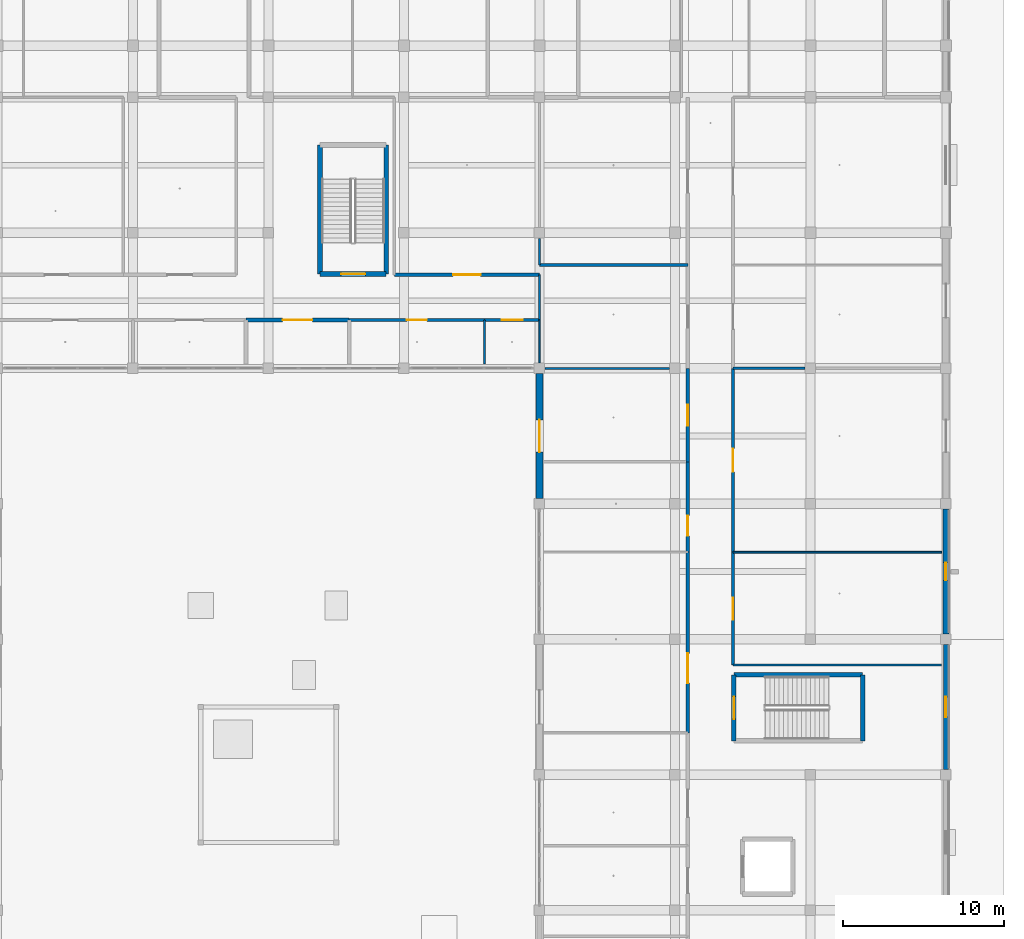
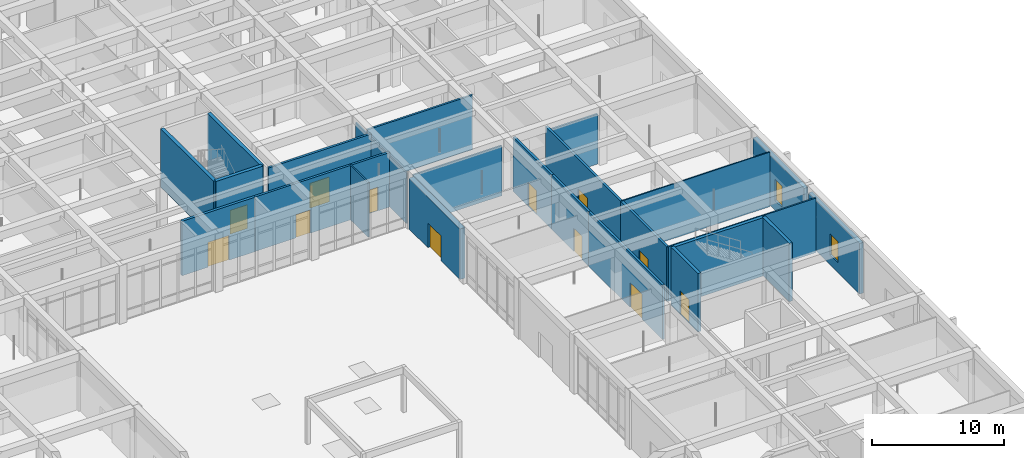
# One storey, part 76 of 167: 27 walls, 12 doors, 2 windows, 14 openings.
"""IFC4 building model written with IfcOpenShell, lengths in metres."""

from ifc_helpers import new_model, si_unit, direction, frame, frame_2d, origin, place, context, subcontext, project, spatial, rectangle, extrude, material, layer, layer_set, type_object, element, fill, save


model = new_model("IFC4")

# Units and contexts
model_context = context("Model", 3, precision=1e-05, world=origin(), true_north=direction((0.0, 1.0)))
body_context = subcontext(model_context, "Body", "Model", "MODEL_VIEW")
ifc_project = project(units=[si_unit("LENGTHUNIT", "METRE"), si_unit("AREAUNIT", "SQUARE_METRE"), si_unit("VOLUMEUNIT", "CUBIC_METRE"), si_unit("PLANEANGLEUNIT", "RADIAN"), si_unit("MASSUNIT", "GRAM", prefix="KILO")], contexts=[model_context])

# Site, building, storey
site_placement = place(None, origin())
site = spatial("IfcSite", under=ifc_project, at=site_placement, CompositionType="ELEMENT")
building_placement = place(site_placement, origin())
building = spatial("IfcBuilding", under=site, at=building_placement, Name="Varncliffe General Hospital", CompositionType="ELEMENT")
storey_placement = place(building_placement, origin())
storey = spatial("IfcBuildingStorey", under=building, at=storey_placement, Name="L00", CompositionType="ELEMENT", Elevation=0.0)

# Wall, opening, window
ifc_material_1 = material(Name="Precast concrete C40/50 with insulated cream lime-cement stucco", Category="concrete")
ifc_layer_1 = layer(ifc_material_1, 0.330078125)
ifc_layer_set_1 = layer_set([ifc_layer_1], Name="Precast concrete C40/50 with insulated cream lime-cement stucco")
wall_type_1 = type_object("IfcWallType", Name="Exterior Insulated Stucco Wall EW33 (330mm)", PredefinedType="SOLIDWALL", material=ifc_layer_set_1)
wall_1_placement = place(storey_placement, frame((176.39990234375, 65.677001953125, 0.0), z_axis=(0.0, 0.0, 1.0), x_axis=(0.0, -1.0, 0.0)))
wall_1 = element("IfcWall", 1, at=wall_1_placement, inside=storey, type_object=wall_type_1, Name="L00 Exterior Stucco Wall EW33-44", PredefinedType="SOLIDWALL", context=body_context, shape_type="SweptSolid", body=[
    extrude(rectangle(XDim=7.75390625, YDim=0.330078125, at=frame_2d((3.876953125, 0.0))), origin(), (0.0, 0.0, 1.0), 4.679931640625),
])
opening_1_placement = place(wall_1_placement, frame((3.251953125, 0.0, 0.89990234375)))
opening_1 = element("IfcOpeningElement", 2, at=opening_1_placement, cuts=wall_1, Name="Opening WN49", PredefinedType="OPENING", context=body_context, shape_type="SweptSolid", body=[
    extrude(rectangle(XDim=1.25, YDim=1.949951171875, at=frame_2d((0.625, 0.97509765625))), frame((0.0, 0.175048828125, 0.0), z_axis=(0.0, -1.0, 0.0), x_axis=(1.0, 0.0, 0.0)), (0.0, 0.0, 1.0), 0.35009765625),
])
ifc_material_2 = material(Name="Triple low-E argon insulated vision glazing", Category="glass")
window_type_1 = type_object("IfcWindowType", Name="Triple-Glazed Hospital Window WN49 (1250x1950)", PartitioningType="SINGLE_PANEL", PredefinedType="WINDOW", material=ifc_material_2)
window_1_placement = place(opening_1_placement, origin())
window_1 = element("IfcWindow", 3, at=window_1_placement, inside=storey, type_object=window_type_1, Name="L00 Hospital Window WN49-25", OverallHeight=1.949951171875, OverallWidth=1.25, PartitioningType="SINGLE_PANEL", PredefinedType="WINDOW", context=body_context, shape_type="SweptSolid", body=[
    extrude(rectangle(XDim=1.25, YDim=1.949951171875, at=frame_2d((0.625, 0.97509765625))), frame((0.0, 0.030029296875, 0.0), z_axis=(0.0, -1.0, 0.0), x_axis=(1.0, 0.0, 0.0)), (0.0, 0.0, 1.0), 0.06005859375),
])
fill(opening_1, window_1)

# Wall, opening, door
ifc_material_3 = material(Name="Concrete C40/50 (CSA A23.1 40 MPa)", Category="concrete")
ifc_layer_2 = layer(ifc_material_3, 0.449951171875)
ifc_layer_set_2 = layer_set([ifc_layer_2], Name="Concrete C40/50 (CSA A23.1 40 MPa)")
wall_type_2 = type_object("IfcWallType", Name="Exterior Insulated Stucco Wall EW36 (450mm)", PredefinedType="SOLIDWALL", material=ifc_layer_set_2)
wall_2_placement = place(storey_placement, frame((151.199951171875, 74.722900390625, 0.0), z_axis=(0.0, 0.0, 1.0), x_axis=(0.0, 1.0, 0.0)))
wall_2 = element("IfcWall", 4, at=wall_2_placement, inside=storey, type_object=wall_type_2, Name="L00 Exterior Stucco Wall EW36-88", PredefinedType="SOLIDWALL", context=body_context, shape_type="SweptSolid", body=[
    extrude(rectangle(XDim=7.754150390625, YDim=0.449951171875, at=frame_2d((3.876953125, 0.0))), origin(), (0.0, 0.0, 1.0), 4.679931640625),
])
opening_2_placement = place(wall_2_placement, frame((2.876953125, 0.0, 0.0)))
opening_2 = element("IfcOpeningElement", 5, at=opening_2_placement, cuts=wall_2, Name="Opening DE53", PredefinedType="OPENING", context=body_context, shape_type="SweptSolid", body=[
    extrude(rectangle(XDim=2.0, YDim=2.300048828125, at=frame_2d((1.0, 1.14990234375))), frame((0.0, 0.23486328125, 0.0), z_axis=(0.0, -1.0, 0.0), x_axis=(1.0, 0.0, 0.0)), (0.0, 0.0, 1.0), 0.469970703125),
])
ifc_material_4 = material(Name="Thermally broken bronze-anodized aluminium and safety glass door", Category="aluminium")
door_type_1 = type_object("IfcDoorType", Name="Exterior Pedestrian Door DE53 (2000x2300)", OperationType="NOTDEFINED", PredefinedType="DOOR", material=ifc_material_4)
door_1_placement = place(opening_2_placement, origin())
door_1 = element("IfcDoor", 6, at=door_1_placement, inside=storey, type_object=door_type_1, Name="Main Pedestrian Entrance and Final Exit Door FE-34", OperationType="DOUBLE_DOOR_SINGLE_SWING", OverallHeight=2.300048828125, OverallWidth=2.0, PredefinedType="DOOR", context=body_context, shape_type="SweptSolid", body=[
    extrude(rectangle(XDim=2.0, YDim=2.300048828125, at=frame_2d((1.0, 1.14990234375))), frame((0.0, 0.02490234375, 0.0), z_axis=(0.0, -1.0, 0.0), x_axis=(1.0, 0.0, 0.0)), (0.0, 0.0, 1.0), 0.050048828125),
])
fill(opening_2, door_1)

# Wall, opening, window
ifc_layer_3 = layer(ifc_material_1, 0.35009765625)
ifc_layer_set_3 = layer_set([ifc_layer_3], Name="Precast concrete C40/50 with insulated cream lime-cement stucco")
wall_type_3 = type_object("IfcWallType", Name="Exterior Insulated Stucco Wall EW37 (350mm)", PredefinedType="SOLIDWALL", material=ifc_layer_set_3)
wall_3_placement = place(storey_placement, frame((176.39990234375, 74.076904296875, 0.0), z_axis=(0.0, 0.0, 1.0), x_axis=(0.0, -1.0, 0.0)))
wall_3 = element("IfcWall", 7, at=wall_3_placement, inside=storey, type_object=wall_type_3, Name="L00 Exterior Stucco Wall EW37-43", PredefinedType="SOLIDWALL", context=body_context, shape_type="SweptSolid", body=[
    extrude(rectangle(XDim=7.75390625, YDim=0.35009765625, at=frame_2d((3.876953125, 0.0))), origin(), (0.0, 0.0, 1.0), 4.679931640625),
])
opening_3_placement = place(wall_3_placement, frame((3.326904296875, 0.0, 0.89990234375)))
opening_3 = element("IfcOpeningElement", 8, at=opening_3_placement, cuts=wall_3, Name="Opening WN41", PredefinedType="OPENING", context=body_context, shape_type="SweptSolid", body=[
    extrude(rectangle(XDim=1.10009765625, YDim=1.949951171875, at=frame_2d((0.550048828125, 0.97509765625))), frame((0.0, 0.18505859375, 0.0), z_axis=(0.0, -1.0, 0.0), x_axis=(1.0, 0.0, 0.0)), (0.0, 0.0, 1.0), 0.3701171875),
])
window_type_2 = type_object("IfcWindowType", Name="Triple-Glazed Hospital Window WN41 (1100x1950)", PartitioningType="SINGLE_PANEL", PredefinedType="WINDOW", material=ifc_material_2)
window_2_placement = place(opening_3_placement, origin())
window_2 = element("IfcWindow", 9, at=window_2_placement, inside=storey, type_object=window_type_2, Name="L00 Hospital Window WN41-24", OverallHeight=1.949951171875, OverallWidth=1.10009765625, PartitioningType="SINGLE_PANEL", PredefinedType="WINDOW", context=body_context, shape_type="SweptSolid", body=[
    extrude(rectangle(XDim=1.10009765625, YDim=1.949951171875, at=frame_2d((0.550048828125, 0.97509765625))), frame((0.0, 0.030029296875, 0.0), z_axis=(0.0, -1.0, 0.0), x_axis=(1.0, 0.0, 0.0)), (0.0, 0.0, 1.0), 0.06005859375),
])
fill(opening_3, window_2)

# Walls
ifc_material_5 = material(Name="Acoustic clinical gypsum stud partition assembly", Category="gypsum")
ifc_layer_4 = layer(ifc_material_5, 0.1298828125)
ifc_layer_set_4 = layer_set([ifc_layer_4], Name="Acoustic clinical gypsum stud partition assembly")
wall_type_4 = type_object("IfcWallType", Name="Interior Partitioning IW11 (130mm)", PredefinedType="PARTITIONING", material=ifc_layer_set_4)
wall_4_placement = place(storey_placement, frame((163.199951171875, 64.39990234375, 0.0), z_axis=(0.0, 0.0, 1.0), x_axis=(1.0, 0.0, 0.0)))
element("IfcWall", 10, at=wall_4_placement, inside=storey, type_object=wall_type_4, Name="L00 Interior Partition Wall IW11-118", PredefinedType="PARTITIONING", context=body_context, shape_type="SweptSolid", body=[
    extrude(rectangle(XDim=12.93994140625, YDim=0.1298828125, at=frame_2d((6.469970703125, 0.0))), origin(), (0.0, 0.0, 1.0), 5.0400390625),
])
wall_5_placement = place(storey_placement, frame((151.5400390625, 82.800048828125, 0.0), z_axis=(0.0, 0.0, 1.0), x_axis=(1.0, 0.0, 0.0)))
element("IfcWall", 11, at=wall_5_placement, inside=storey, type_object=wall_type_4, Name="L00 Interior Partition Wall IW11-143", PredefinedType="PARTITIONING", context=body_context, shape_type="SweptSolid", body=[
    extrude(rectangle(XDim=7.719970703125, YDim=0.1298828125, at=frame_2d((3.85986328125, 0.0))), origin(), (0.0, 0.0, 1.0), 4.635009765625),
])
wall_6_placement = place(storey_placement, frame((147.800048828125, 83.06005859375, 0.0), z_axis=(0.0, 0.0, 1.0), x_axis=(0.0, 1.0, 0.0)))
element("IfcWall", 12, at=wall_6_placement, inside=storey, type_object=wall_type_4, Name="L00 Interior Partition Wall IW11-383", PredefinedType="PARTITIONING", context=body_context, shape_type="SweptSolid", body=[
    extrude(rectangle(XDim=2.739990234375, YDim=0.1298828125, at=frame_2d((1.3701171875, 0.0))), origin(), (0.0, 0.0, 1.0), 5.0400390625),
])
wall_7_placement = place(storey_placement, frame((151.199951171875, 89.199951171875, 0.0), z_axis=(0.0, 0.0, 1.0), x_axis=(0.0, 1.0, 0.0)))
element("IfcWall", 13, at=wall_7_placement, inside=storey, type_object=wall_type_4, Name="L00 Interior Partition Wall IW11-394", PredefinedType="PARTITIONING", context=body_context, shape_type="SweptSolid", body=[
    extrude(rectangle(XDim=1.66015625, YDim=0.1298828125, at=frame_2d((0.830078125, 0.0))), origin(), (0.0, 0.0, 1.0), 4.68505859375),
])
ifc_layer_5 = layer(ifc_material_5, 0.169921875)
ifc_layer_set_5 = layer_set([ifc_layer_5], Name="Acoustic clinical gypsum stud partition assembly")
wall_type_5 = type_object("IfcWallType", Name="Interior Partitioning IW20 (170mm)", PredefinedType="PARTITIONING", material=ifc_layer_set_5)
wall_8_placement = place(storey_placement, frame((151.199951171875, 89.199951171875, 0.0), z_axis=(0.0, 0.0, 1.0), x_axis=(1.0, 0.0, 0.0)))
element("IfcWall", 14, at=wall_8_placement, inside=storey, type_object=wall_type_5, Name="L00 Interior Partition Wall IW20-175", PredefinedType="PARTITIONING", context=body_context, shape_type="SweptSolid", body=[
    extrude(rectangle(XDim=9.199951171875, YDim=0.169921875, at=frame_2d((4.60009765625, 0.0))), origin(), (0.0, 0.0, 1.0), 5.0400390625),
])
ifc_layer_6 = layer(ifc_material_5, 0.14990234375)
ifc_layer_set_6 = layer_set([ifc_layer_6], Name="Acoustic clinical gypsum stud partition assembly")
wall_type_6 = type_object("IfcWallType", Name="Interior Partitioning IW35 (150mm)", PredefinedType="PARTITIONING", material=ifc_layer_set_6)
wall_9_placement = place(storey_placement, frame((163.199951171875, 82.800048828125, 0.0), z_axis=(0.0, 0.0, 1.0), x_axis=(1.0, 0.0, 0.0)))
element("IfcWall", 15, at=wall_9_placement, inside=storey, type_object=wall_type_6, Name="L00 Interior Partition Wall IW35-145", PredefinedType="PARTITIONING", context=body_context, shape_type="SweptSolid", body=[
    extrude(rectangle(XDim=4.4599609375, YDim=0.14990234375, at=frame_2d((2.22998046875, 0.0))), origin(), (0.0, 0.0, 1.0), 4.635009765625),
])
ifc_layer_7 = layer(ifc_material_5, 0.090087890625)
ifc_layer_set_7 = layer_set([ifc_layer_7], Name="Acoustic clinical gypsum stud partition assembly")
wall_type_7 = type_object("IfcWallType", Name="Interior Partitioning IW42 (90mm)", PredefinedType="PARTITIONING", material=ifc_layer_set_7)
wall_10_placement = place(storey_placement, frame((151.199951171875, 83.139892578125, 0.0), z_axis=(0.0, 0.0, 1.0), x_axis=(0.0, 1.0, 0.0)))
element("IfcWall", 16, at=wall_10_placement, inside=storey, type_object=wall_type_7, Name="L00 Interior Partition Wall IW42-391", PredefinedType="PARTITIONING", context=body_context, shape_type="SweptSolid", body=[
    extrude(rectangle(XDim=2.66015625, YDim=0.090087890625, at=frame_2d((1.330078125, 0.0))), origin(), (0.0, 0.0, 1.0), 4.68505859375),
])
ifc_layer_8 = layer(ifc_material_5, 0.110107421875)
ifc_layer_set_8 = layer_set([ifc_layer_8], Name="Acoustic clinical gypsum stud partition assembly")
wall_type_8 = type_object("IfcWallType", Name="Interior Partitioning IW65 (110mm)", PredefinedType="PARTITIONING", material=ifc_layer_set_8)
wall_11_placement = place(storey_placement, frame((163.199951171875, 71.39990234375, 0.0), z_axis=(0.0, 0.0, 1.0), x_axis=(1.0, 0.0, 0.0)))
element("IfcWall", 17, at=wall_11_placement, inside=storey, type_object=wall_type_8, Name="L00 Interior Partition Wall IW65-122", PredefinedType="PARTITIONING", context=body_context, shape_type="SweptSolid", body=[
    extrude(rectangle(XDim=12.93994140625, YDim=0.110107421875, at=frame_2d((6.469970703125, 0.0))), origin(), (0.0, 0.0, 1.0), 5.0400390625),
])
wall_12_placement = place(storey_placement, frame((151.199951171875, 85.800048828125, 0.0), z_axis=(0.0, 0.0, 1.0), x_axis=(0.0, 1.0, 0.0)))
element("IfcWall", 18, at=wall_12_placement, inside=storey, type_object=wall_type_8, Name="L00 Interior Partition Wall IW65-392", PredefinedType="PARTITIONING", context=body_context, shape_type="SweptSolid", body=[
    extrude(rectangle(XDim=2.800048828125, YDim=0.110107421875, at=frame_2d((1.39990234375, 0.0))), origin(), (0.0, 0.0, 1.0), 4.68505859375),
])

# Wall, opening, door
ifc_material_6 = material(Name="Fire-rated gypsum and mineral-wool partition assembly", Category="gypsum")
ifc_layer_9 = layer(ifc_material_6, 0.22998046875)
ifc_layer_set_9 = layer_set([ifc_layer_9], Name="Fire-rated gypsum and mineral-wool partition assembly")
wall_type_9 = type_object("IfcWallType", Name="Interior Partitioning PW48 (230mm)", PredefinedType="PARTITIONING", material=ifc_layer_set_9)
wall_13_placement = place(storey_placement, frame((133.0, 85.800048828125, 0.0), z_axis=(0.0, 0.0, 1.0), x_axis=(1.0, 0.0, 0.0)))
wall_13 = element("IfcWall", 19, at=wall_13_placement, inside=storey, type_object=wall_type_9, Name="L00 Interior Partition Wall PW48-160", PredefinedType="PARTITIONING", context=body_context, shape_type="SweptSolid", body=[
    extrude(rectangle(XDim=6.39990234375, YDim=0.22998046875, at=frame_2d((3.199951171875, 0.0))), origin(), (0.0, 0.0, 1.0), 5.0400390625),
])
opening_4_placement = place(wall_13_placement, frame((2.27490234375, 0.0, 0.0)))
opening_4 = element("IfcOpeningElement", 20, at=opening_4_placement, cuts=wall_13, Name="Opening DC38", PredefinedType="OPENING", context=body_context, shape_type="SweptSolid", body=[
    extrude(rectangle(XDim=1.85009765625, YDim=2.300048828125, at=frame_2d((0.925048828125, 1.14990234375))), frame((0.0, 0.125, 0.0), z_axis=(0.0, -1.0, 0.0), x_axis=(1.0, 0.0, 0.0)), (0.0, 0.0, 1.0), 0.25),
])
ifc_material_7 = material(Name="Fire-rated hospital steel-frame vision-panel door", Category="steel")
door_type_2 = type_object("IfcDoorType", Name="Interior Hospital Door DC38 (1850x2300)", OperationType="NOTDEFINED", PredefinedType="DOOR", material=ifc_material_7)
door_2_placement = place(opening_4_placement, frame((1.85009765625, 0.0, 0.0), z_axis=(0.0, 0.0, 1.0), x_axis=(-1.0, 0.0, 0.0)))
door_2 = element("IfcDoor", 21, at=door_2_placement, inside=storey, type_object=door_type_2, Name="L00 Surgical Clean Supply Store 78 Door", OperationType="SINGLE_SWING_LEFT", OverallHeight=2.300048828125, OverallWidth=1.85009765625, PredefinedType="DOOR", context=body_context, shape_type="SweptSolid", body=[
    extrude(rectangle(XDim=1.85009765625, YDim=2.300048828125, at=frame_2d((0.925048828125, 1.14990234375))), frame((0.0, 0.02490234375, 0.0), z_axis=(0.0, -1.0, 0.0), x_axis=(1.0, 0.0, 0.0)), (0.0, 0.0, 1.0), 0.050048828125),
])
fill(opening_4, door_2)

ifc_layer_10 = layer(ifc_material_6, 0.199951171875)
ifc_layer_set_10 = layer_set([ifc_layer_10], Name="Fire-rated gypsum and mineral-wool partition assembly")
wall_type_10 = type_object("IfcWallType", Name="Interior Partitioning PW63 (200mm)", PredefinedType="PARTITIONING", material=ifc_layer_set_10)
wall_14_placement = place(storey_placement, frame((139.39990234375, 85.800048828125, 0.0), z_axis=(0.0, 0.0, 1.0), x_axis=(1.0, 0.0, 0.0)))
wall_14 = element("IfcWall", 22, at=wall_14_placement, inside=storey, type_object=wall_type_10, Name="L00 Interior Partition Wall PW63-161", PredefinedType="PARTITIONING", context=body_context, shape_type="SweptSolid", body=[
    extrude(rectangle(XDim=8.400146484375, YDim=0.199951171875, at=frame_2d((4.2001953125, 0.0))), origin(), (0.0, 0.0, 1.0), 5.0400390625),
])
opening_5_placement = place(wall_14_placement, frame((3.574951171875, 0.0, 0.0)))
opening_5 = element("IfcOpeningElement", 23, at=opening_5_placement, cuts=wall_14, Name="Opening DC44", PredefinedType="OPENING", context=body_context, shape_type="SweptSolid", body=[
    extrude(rectangle(XDim=1.25, YDim=2.14990234375, at=frame_2d((0.625, 1.074951171875))), frame((0.0, 0.10986328125, 0.0), z_axis=(0.0, -1.0, 0.0), x_axis=(1.0, 0.0, 0.0)), (0.0, 0.0, 1.0), 0.219970703125),
])
door_type_3 = type_object("IfcDoorType", Name="Interior Hospital Door DC44 (1250x2150)", OperationType="NOTDEFINED", PredefinedType="DOOR", material=ifc_material_7)
door_3_placement = place(opening_5_placement, frame((1.25, 0.0, 0.0), z_axis=(0.0, 0.0, 1.0), x_axis=(-1.0, 0.0, 0.0)))
door_3 = element("IfcDoor", 24, at=door_3_placement, inside=storey, type_object=door_type_3, Name="L00 Diagnostic Fluoroscopy and X-Ray Suite 79 Door", OperationType="SINGLE_SWING_RIGHT", OverallHeight=2.14990234375, OverallWidth=1.25, PredefinedType="DOOR", context=body_context, shape_type="SweptSolid", body=[
    extrude(rectangle(XDim=1.25, YDim=2.14990234375, at=frame_2d((0.625, 1.074951171875))), frame((0.0, 0.02490234375, 0.0), z_axis=(0.0, -1.0, 0.0), x_axis=(1.0, 0.0, 0.0)), (0.0, 0.0, 1.0), 0.050048828125),
])
fill(opening_5, door_3)

wall_15_placement = place(storey_placement, frame((147.800048828125, 85.800048828125, 0.0), z_axis=(0.0, 0.0, 1.0), x_axis=(1.0, 0.0, 0.0)))
wall_15 = element("IfcWall", 25, at=wall_15_placement, inside=storey, type_object=wall_type_10, Name="L00 Interior Partition Wall PW63-162", PredefinedType="PARTITIONING", context=body_context, shape_type="SweptSolid", body=[
    extrude(rectangle(XDim=3.39990234375, YDim=0.199951171875, at=frame_2d((1.699951171875, 0.0))), origin(), (0.0, 0.0, 1.0), 5.0400390625),
])
opening_6_placement = place(wall_15_placement, frame((1.050048828125, 0.0, 0.0)))
opening_6 = element("IfcOpeningElement", 26, at=opening_6_placement, cuts=wall_15, Name="Opening DC88", PredefinedType="OPENING", context=body_context, shape_type="SweptSolid", body=[
    extrude(rectangle(XDim=1.300048828125, YDim=2.199951171875, at=frame_2d((0.64990234375, 1.10009765625))), frame((0.0, 0.10986328125, 0.0), z_axis=(0.0, -1.0, 0.0), x_axis=(1.0, 0.0, 0.0)), (0.0, 0.0, 1.0), 0.219970703125),
])
door_type_4 = type_object("IfcDoorType", Name="Interior Hospital Door DC88 (1300x2200)", OperationType="NOTDEFINED", PredefinedType="DOOR", material=ifc_material_7)
door_4_placement = place(opening_6_placement, frame((1.300048828125, 0.0, 0.0), z_axis=(0.0, 0.0, 1.0), x_axis=(-1.0, 0.0, 0.0)))
door_4 = element("IfcDoor", 27, at=door_4_placement, inside=storey, type_object=door_type_4, Name="L00 Sterile Dispatch and Surgical Prep Room 80 Door", OperationType="SINGLE_SWING_LEFT", OverallHeight=2.199951171875, OverallWidth=1.300048828125, PredefinedType="DOOR", context=body_context, shape_type="SweptSolid", body=[
    extrude(rectangle(XDim=1.300048828125, YDim=2.199951171875, at=frame_2d((0.64990234375, 1.10009765625))), frame((0.0, 0.02490234375, 0.0), z_axis=(0.0, -1.0, 0.0), x_axis=(1.0, 0.0, 0.0)), (0.0, 0.0, 1.0), 0.050048828125),
])
fill(opening_6, door_4)

wall_16_placement = place(storey_placement, frame((142.199951171875, 88.60009765625, 0.0), z_axis=(0.0, 0.0, 1.0), x_axis=(1.0, 0.0, 0.0)))
wall_16 = element("IfcWall", 28, at=wall_16_placement, inside=storey, type_object=wall_type_10, Name="L00 Interior Partition Wall PW63-173", PredefinedType="PARTITIONING", context=body_context, shape_type="SweptSolid", body=[
    extrude(rectangle(XDim=9.0, YDim=0.199951171875, at=frame_2d((4.5, 0.0))), origin(), (0.0, 0.0, 1.0), 5.0400390625),
])
opening_7_placement = place(wall_16_placement, frame((3.64990234375, 0.0, 0.0)))
opening_7 = element("IfcOpeningElement", 29, at=opening_7_placement, cuts=wall_16, Name="Opening DC50", PredefinedType="OPENING", context=body_context, shape_type="SweptSolid", body=[
    extrude(rectangle(XDim=1.699951171875, YDim=2.300048828125, at=frame_2d((0.85009765625, 1.14990234375))), frame((0.0, 0.10986328125, 0.0), z_axis=(0.0, -1.0, 0.0), x_axis=(1.0, 0.0, 0.0)), (0.0, 0.0, 1.0), 0.219970703125),
])
door_type_5 = type_object("IfcDoorType", Name="Interior Hospital Door DC50 (1700x2300)", OperationType="NOTDEFINED", PredefinedType="DOOR", material=ifc_material_7)
door_5_placement = place(opening_7_placement, origin())
door_5 = element("IfcDoor", 30, at=door_5_placement, inside=storey, type_object=door_type_5, Name="L00 Diagnostic Fluoroscopy and X-Ray Suite 87 Door", OperationType="SINGLE_SWING_RIGHT", OverallHeight=2.300048828125, OverallWidth=1.699951171875, PredefinedType="DOOR", context=body_context, shape_type="SweptSolid", body=[
    extrude(rectangle(XDim=1.699951171875, YDim=2.300048828125, at=frame_2d((0.85009765625, 1.14990234375))), frame((0.0, 0.02490234375, 0.0), z_axis=(0.0, -1.0, 0.0), x_axis=(1.0, 0.0, 0.0)), (0.0, 0.0, 1.0), 0.050048828125),
])
fill(opening_7, door_5)

wall_17_placement = place(storey_placement, frame((160.39990234375, 60.199951171875, 0.0), z_axis=(0.0, 0.0, 1.0), x_axis=(0.0, 1.0, 0.0)))
wall_17 = element("IfcWall", 31, at=wall_17_placement, inside=storey, type_object=wall_type_10, Name="L00 Interior Partition Wall PW63-407", PredefinedType="PARTITIONING", context=body_context, shape_type="SweptSolid", body=[
    extrude(rectangle(XDim=11.199951171875, YDim=0.199951171875, at=frame_2d((5.60009765625, 0.0))), origin(), (0.0, 0.0, 1.0), 5.0400390625),
])
opening_8_placement = place(wall_17_placement, frame((3.078369140625, 0.0, 0.0)))
opening_8 = element("IfcOpeningElement", 32, at=opening_8_placement, cuts=wall_17, Name="Opening DC38", PredefinedType="OPENING", context=body_context, shape_type="SweptSolid", body=[
    extrude(rectangle(XDim=1.85009765625, YDim=2.300048828125, at=frame_2d((0.925048828125, 1.14990234375))), frame((0.0, 0.10986328125, 0.0), z_axis=(0.0, -1.0, 0.0), x_axis=(1.0, 0.0, 0.0)), (0.0, 0.0, 1.0), 0.219970703125),
])
door_6_placement = place(opening_8_placement, origin())
door_6 = element("IfcDoor", 33, at=door_6_placement, inside=storey, type_object=door_type_2, Name="L00 Physical Rehabilitation Therapy Gym 96 Door", OperationType="SINGLE_SWING_RIGHT", OverallHeight=2.300048828125, OverallWidth=1.85009765625, PredefinedType="DOOR", context=body_context, shape_type="SweptSolid", body=[
    extrude(rectangle(XDim=1.85009765625, YDim=2.300048828125, at=frame_2d((0.925048828125, 1.14990234375))), frame((0.0, 0.02490234375, 0.0), z_axis=(0.0, -1.0, 0.0), x_axis=(1.0, 0.0, 0.0)), (0.0, 0.0, 1.0), 0.050048828125),
])
fill(opening_8, door_6)

wall_18_placement = place(storey_placement, frame((160.39990234375, 71.39990234375, 0.0), z_axis=(0.0, 0.0, 1.0), x_axis=(0.0, 1.0, 0.0)))
wall_18 = element("IfcWall", 34, at=wall_18_placement, inside=storey, type_object=wall_type_10, Name="L00 Interior Partition Wall PW63-408", PredefinedType="PARTITIONING", context=body_context, shape_type="SweptSolid", body=[
    extrude(rectangle(XDim=5.60009765625, YDim=0.199951171875, at=frame_2d((2.800048828125, 0.0))), origin(), (0.0, 0.0, 1.0), 5.0400390625),
])
opening_9_placement = place(wall_18_placement, frame((1.013916015625, 0.0, 0.0)))
opening_9 = element("IfcOpeningElement", 35, at=opening_9_placement, cuts=wall_18, Name="Opening DC44", PredefinedType="OPENING", context=body_context, shape_type="SweptSolid", body=[
    extrude(rectangle(XDim=1.25, YDim=2.14990234375, at=frame_2d((0.625, 1.074951171875))), frame((0.0, 0.10986328125, 0.0), z_axis=(0.0, -1.0, 0.0), x_axis=(1.0, 0.0, 0.0)), (0.0, 0.0, 1.0), 0.219970703125),
])
door_7_placement = place(opening_9_placement, origin())
door_7 = element("IfcDoor", 36, at=door_7_placement, inside=storey, type_object=door_type_3, Name="L00 Outpatient Consultation and Exam Clinic 97 Door", OperationType="SINGLE_SWING_LEFT", OverallHeight=2.14990234375, OverallWidth=1.25, PredefinedType="DOOR", context=body_context, shape_type="SweptSolid", body=[
    extrude(rectangle(XDim=1.25, YDim=2.14990234375, at=frame_2d((0.625, 1.074951171875))), frame((0.0, 0.02490234375, 0.0), z_axis=(0.0, -1.0, 0.0), x_axis=(1.0, 0.0, 0.0)), (0.0, 0.0, 1.0), 0.050048828125),
])
fill(opening_9, door_7)

wall_19_placement = place(storey_placement, frame((160.39990234375, 77.0, 0.0), z_axis=(0.0, 0.0, 1.0), x_axis=(0.0, 1.0, 0.0)))
wall_19 = element("IfcWall", 37, at=wall_19_placement, inside=storey, type_object=wall_type_10, Name="L00 Interior Partition Wall PW63-409", PredefinedType="PARTITIONING", context=body_context, shape_type="SweptSolid", body=[
    extrude(rectangle(XDim=5.800048828125, YDim=0.199951171875, at=frame_2d((2.89990234375, 0.0))), origin(), (0.0, 0.0, 1.0), 5.0400390625),
])
opening_10_placement = place(wall_19_placement, frame((2.25, 0.0, 0.0)))
opening_10 = element("IfcOpeningElement", 38, at=opening_10_placement, cuts=wall_19, Name="Opening DC88", PredefinedType="OPENING", context=body_context, shape_type="SweptSolid", body=[
    extrude(rectangle(XDim=1.300048828125, YDim=2.199951171875, at=frame_2d((0.64990234375, 1.10009765625))), frame((0.0, 0.10986328125, 0.0), z_axis=(0.0, -1.0, 0.0), x_axis=(1.0, 0.0, 0.0)), (0.0, 0.0, 1.0), 0.219970703125),
])
door_8_placement = place(opening_10_placement, origin())
door_8 = element("IfcDoor", 39, at=door_8_placement, inside=storey, type_object=door_type_4, Name="L00 Orthopaedic Fracture Cast Clinic 98 Door", OperationType="SINGLE_SWING_RIGHT", OverallHeight=2.199951171875, OverallWidth=1.300048828125, PredefinedType="DOOR", context=body_context, shape_type="SweptSolid", body=[
    extrude(rectangle(XDim=1.300048828125, YDim=2.199951171875, at=frame_2d((0.64990234375, 1.10009765625))), frame((0.0, 0.02490234375, 0.0), z_axis=(0.0, -1.0, 0.0), x_axis=(1.0, 0.0, 0.0)), (0.0, 0.0, 1.0), 0.050048828125),
])
fill(opening_10, door_8)

wall_20_placement = place(storey_placement, frame((163.199951171875, 64.39990234375, 0.0), z_axis=(0.0, 0.0, 1.0), x_axis=(0.0, 1.0, 0.0)))
wall_20 = element("IfcWall", 40, at=wall_20_placement, inside=storey, type_object=wall_type_10, Name="L00 Interior Partition Wall PW63-417", PredefinedType="PARTITIONING", context=body_context, shape_type="SweptSolid", body=[
    extrude(rectangle(XDim=7.0, YDim=0.199951171875, at=frame_2d((3.5, 0.0))), origin(), (0.0, 0.0, 1.0), 5.0400390625),
])
opening_11_placement = place(wall_20_placement, frame((2.824951171875, 0.0, 0.0)))
opening_11 = element("IfcOpeningElement", 41, at=opening_11_placement, cuts=wall_20, Name="Opening DC85", PredefinedType="OPENING", context=body_context, shape_type="SweptSolid", body=[
    extrude(rectangle(XDim=1.35009765625, YDim=2.199951171875, at=frame_2d((0.675048828125, 1.10009765625))), frame((0.0, 0.10986328125, 0.0), z_axis=(0.0, -1.0, 0.0), x_axis=(1.0, 0.0, 0.0)), (0.0, 0.0, 1.0), 0.219970703125),
])
door_type_6 = type_object("IfcDoorType", Name="Interior Hospital Door DC85 (1350x2200)", OperationType="NOTDEFINED", PredefinedType="DOOR", material=ifc_material_7)
door_9_placement = place(opening_11_placement, frame((1.35009765625, 0.0, 0.0), z_axis=(0.0, 0.0, 1.0), x_axis=(-1.0, 0.0, 0.0)))
door_9 = element("IfcDoor", 42, at=door_9_placement, inside=storey, type_object=door_type_6, Name="L00 Orthopaedic Fracture Cast Clinic 104 Door", OperationType="SINGLE_SWING_RIGHT", OverallHeight=2.199951171875, OverallWidth=1.35009765625, PredefinedType="DOOR", context=body_context, shape_type="SweptSolid", body=[
    extrude(rectangle(XDim=1.35009765625, YDim=2.199951171875, at=frame_2d((0.675048828125, 1.10009765625))), frame((0.0, 0.02490234375, 0.0), z_axis=(0.0, -1.0, 0.0), x_axis=(1.0, 0.0, 0.0)), (0.0, 0.0, 1.0), 0.050048828125),
])
fill(opening_11, door_9)

wall_21_placement = place(storey_placement, frame((163.199951171875, 71.39990234375, 0.0), z_axis=(0.0, 0.0, 1.0), x_axis=(0.0, 1.0, 0.0)))
wall_21 = element("IfcWall", 43, at=wall_21_placement, inside=storey, type_object=wall_type_10, Name="L00 Interior Partition Wall PW63-418", PredefinedType="PARTITIONING", context=body_context, shape_type="SweptSolid", body=[
    extrude(rectangle(XDim=11.400146484375, YDim=0.199951171875, at=frame_2d((5.7001953125, 0.0))), origin(), (0.0, 0.0, 1.0), 5.0400390625),
])
opening_12_placement = place(wall_21_placement, frame((4.97509765625, 0.0, 0.0)))
opening_12 = element("IfcOpeningElement", 44, at=opening_12_placement, cuts=wall_21, Name="Opening DC66", PredefinedType="OPENING", context=body_context, shape_type="SweptSolid", body=[
    extrude(rectangle(XDim=1.449951171875, YDim=2.25, at=frame_2d((0.72509765625, 1.125))), frame((0.0, 0.10986328125, 0.0), z_axis=(0.0, -1.0, 0.0), x_axis=(1.0, 0.0, 0.0)), (0.0, 0.0, 1.0), 0.219970703125),
])
door_type_7 = type_object("IfcDoorType", Name="Interior Hospital Door DC66 (1450x2250)", OperationType="NOTDEFINED", PredefinedType="DOOR", material=ifc_material_7)
door_10_placement = place(opening_12_placement, frame((1.449951171875, 0.0, 0.0), z_axis=(0.0, 0.0, 1.0), x_axis=(-1.0, 0.0, 0.0)))
door_10 = element("IfcDoor", 45, at=door_10_placement, inside=storey, type_object=door_type_7, Name="L00 Physical Rehabilitation Therapy Gym 105 Door", OperationType="SINGLE_SWING_LEFT", OverallHeight=2.25, OverallWidth=1.449951171875, PredefinedType="DOOR", context=body_context, shape_type="SweptSolid", body=[
    extrude(rectangle(XDim=1.449951171875, YDim=2.25, at=frame_2d((0.72509765625, 1.125))), frame((0.0, 0.02490234375, 0.0), z_axis=(0.0, -1.0, 0.0), x_axis=(1.0, 0.0, 0.0)), (0.0, 0.0, 1.0), 0.050048828125),
])
fill(opening_12, door_10)

# Walls
ifc_layer_11 = layer(ifc_material_3, 0.300048828125)
ifc_layer_set_11 = layer_set([ifc_layer_11], Name="Concrete C40/50 (CSA A23.1 40 MPa)")
wall_type_11 = type_object("IfcWallType", Name="Reinforced Concrete Core Shear Wall CW12 (300mm)", PredefinedType="SHEAR", material=ifc_layer_set_11)
for number, where, z_axis, x_axis, name in (
    (46, (141.699951171875, 88.64990234375, 0.0), (0.0, 0.0, 1.0), (0.0, 1.0, 0.0), "L00 ST14 Core Shear Wall L"),
    (47, (137.60009765625, 96.64990234375, 0.0), (0.0, 0.0, 1.0), (0.0, -1.0, 0.0), "L00 ST14 Core Shear Wall R"),
):
    element("IfcWall", number, at=place(storey_placement, frame(where, z_axis=z_axis, x_axis=x_axis)), inside=storey, type_object=wall_type_11, Name=name, PredefinedType="SHEAR", context=body_context, shape_type="SweptSolid", body=[
        extrude(rectangle(XDim=8.0, YDim=0.300048828125, at=frame_2d((4.0, 0.0))), origin(), (0.0, 0.0, 1.0), 5.39990234375),
    ])

# Wall, opening, door
wall_22_placement = place(storey_placement, frame((137.60009765625, 88.64990234375, 0.0), z_axis=(0.0, 0.0, 1.0), x_axis=(1.0, 0.0, 0.0)))
wall_22 = element("IfcWall", 48, at=wall_22_placement, inside=storey, type_object=wall_type_11, Name="L00 ST14 Core Shear Wall N", PredefinedType="SHEAR", context=body_context, shape_type="SweptSolid", body=[
    extrude(rectangle(XDim=4.099853515625, YDim=0.300048828125, at=frame_2d((2.0498046875, 0.0))), origin(), (0.0, 0.0, 1.0), 5.39990234375),
])
opening_13_placement = place(wall_22_placement, frame((1.300048828125, 0.0, 0.0)))
opening_13 = element("IfcOpeningElement", 49, at=opening_13_placement, cuts=wall_22, Name="Opening DF28", PredefinedType="OPENING", context=body_context, shape_type="SweptSolid", body=[
    extrude(rectangle(XDim=1.5, YDim=2.199951171875, at=frame_2d((0.75, 1.10009765625))), frame((0.0, 0.16015625, 0.0), z_axis=(0.0, -1.0, 0.0), x_axis=(1.0, 0.0, 0.0)), (0.0, 0.0, 1.0), 0.320068359375),
])
door_type_8 = type_object("IfcDoorType", Name="Interior Hospital Door DF28 (1500x2200)", OperationType="NOTDEFINED", PredefinedType="DOOR", material=ifc_material_7)
door_11_placement = place(opening_13_placement, origin())
door_11 = element("IfcDoor", 50, at=door_11_placement, inside=storey, type_object=door_type_8, Name="L00 ST14 Protected Exit Stair Door", OperationType="SINGLE_SWING_LEFT", OverallHeight=2.199951171875, OverallWidth=1.5, PredefinedType="DOOR", context=body_context, shape_type="SweptSolid", body=[
    extrude(rectangle(XDim=1.5, YDim=2.199951171875, at=frame_2d((0.75, 1.10009765625))), frame((0.0, 0.02490234375, 0.0), z_axis=(0.0, -1.0, 0.0), x_axis=(1.0, 0.0, 0.0)), (0.0, 0.0, 1.0), 0.050048828125),
])
fill(opening_13, door_11)

# Walls
ifc_layer_12 = layer(ifc_material_3, 0.280029296875)
ifc_layer_set_12 = layer_set([ifc_layer_12], Name="Concrete C40/50 (CSA A23.1 40 MPa)")
wall_type_12 = type_object("IfcWallType", Name="Reinforced Concrete Core Shear Wall CW13 (280mm)", PredefinedType="SHEAR", material=ifc_layer_set_12)
wall_23_placement = place(storey_placement, frame((171.239990234375, 59.7099609375, 0.0), z_axis=(0.0, 0.0, 1.0), x_axis=(0.0, 1.0, 0.0)))
element("IfcWall", 51, at=wall_23_placement, inside=storey, type_object=wall_type_12, Name="L00 ST07 Core Shear Wall F", PredefinedType="SHEAR", context=body_context, shape_type="SweptSolid", body=[
    extrude(rectangle(XDim=4.080078125, YDim=0.280029296875, at=frame_2d((2.0400390625, 0.0))), origin(), (0.0, 0.0, 1.0), 5.39990234375),
])
wall_24_placement = place(storey_placement, frame((171.239990234375, 63.7900390625, 0.0), z_axis=(0.0, 0.0, 1.0), x_axis=(-1.0, 0.0, 0.0)))
element("IfcWall", 52, at=wall_24_placement, inside=storey, type_object=wall_type_12, Name="L00 ST07 Core Shear Wall R", PredefinedType="SHEAR", context=body_context, shape_type="SweptSolid", body=[
    extrude(rectangle(XDim=7.97998046875, YDim=0.280029296875, at=frame_2d((3.989990234375, 0.0))), origin(), (0.0, 0.0, 1.0), 5.39990234375),
])

# Wall, opening, door
wall_25_placement = place(storey_placement, frame((163.260009765625, 63.7900390625, 0.0), z_axis=(0.0, 0.0, 1.0), x_axis=(0.0, -1.0, 0.0)))
wall_25 = element("IfcWall", 53, at=wall_25_placement, inside=storey, type_object=wall_type_12, Name="L00 ST07 Core Shear Wall N", PredefinedType="SHEAR", context=body_context, shape_type="SweptSolid", body=[
    extrude(rectangle(XDim=4.080078125, YDim=0.280029296875, at=frame_2d((2.0400390625, 0.0))), origin(), (0.0, 0.0, 1.0), 5.39990234375),
])
opening_14_placement = place(wall_25_placement, frame((1.340087890625, 0.0, 0.0)))
opening_14 = element("IfcOpeningElement", 54, at=opening_14_placement, cuts=wall_25, Name="Opening DF81", PredefinedType="OPENING", context=body_context, shape_type="SweptSolid", body=[
    extrude(rectangle(XDim=1.39990234375, YDim=2.199951171875, at=frame_2d((0.699951171875, 1.10009765625))), frame((0.0, 0.14990234375, 0.0), z_axis=(0.0, -1.0, 0.0), x_axis=(1.0, 0.0, 0.0)), (0.0, 0.0, 1.0), 0.300048828125),
])
door_type_9 = type_object("IfcDoorType", Name="Interior Hospital Door DF81 (1400x2200)", OperationType="NOTDEFINED", PredefinedType="DOOR", material=ifc_material_7)
door_12_placement = place(opening_14_placement, origin())
door_12 = element("IfcDoor", 55, at=door_12_placement, inside=storey, type_object=door_type_9, Name="L00 ST07 Protected Exit Stair Door", OperationType="SINGLE_SWING_RIGHT", OverallHeight=2.199951171875, OverallWidth=1.39990234375, PredefinedType="DOOR", context=body_context, shape_type="SweptSolid", body=[
    extrude(rectangle(XDim=1.39990234375, YDim=2.199951171875, at=frame_2d((0.699951171875, 1.10009765625))), frame((0.0, 0.02490234375, 0.0), z_axis=(0.0, -1.0, 0.0), x_axis=(1.0, 0.0, 0.0)), (0.0, 0.0, 1.0), 0.050048828125),
])
fill(opening_14, door_12)

save(model, "model.ifc")
